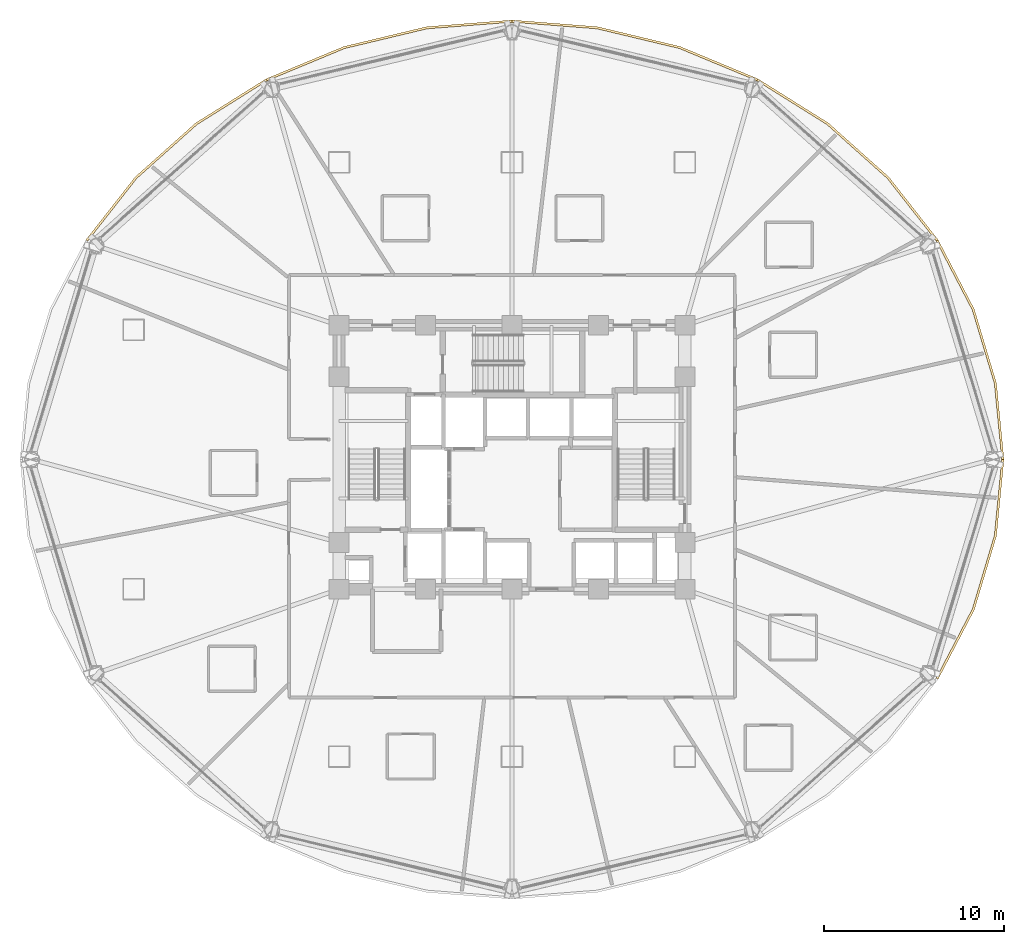
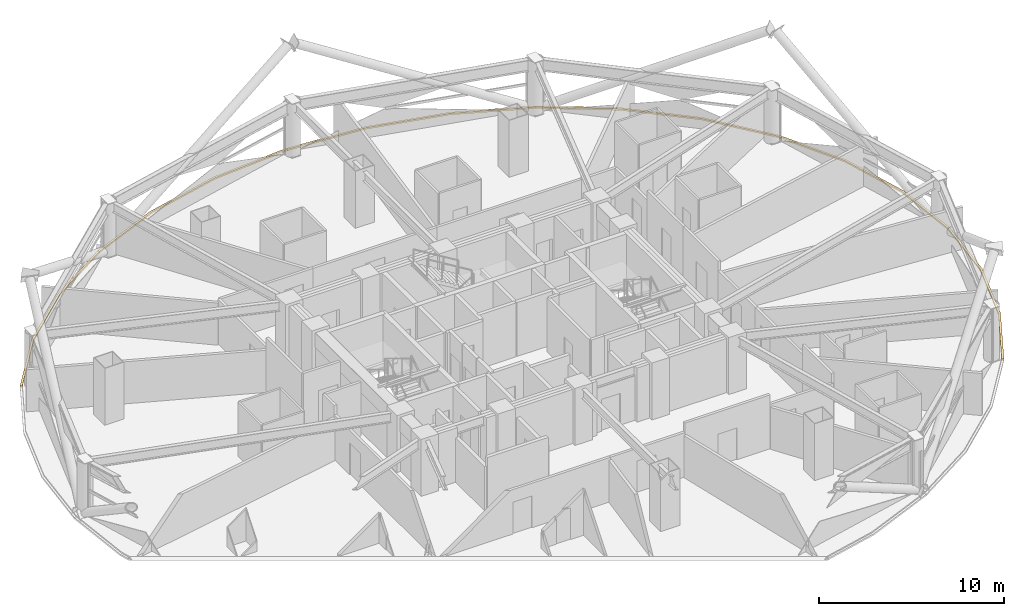
# One storey, part 31 of 31: 6 coverings.
"""IFC4 building model written with IfcOpenShell, lengths in metres."""

import ifcopenshell
import ifcopenshell.guid

model = None  # the IFC model being written
_history = None  # IfcOwnerHistory: only IFC2X3 demands one
_inside = {}  # id of a spatial element -> (the spatial element, [elements in it])
_under = {}  # id of a project, library or spatial element -> (it, [spatial elements below it])
_declared = {}  # id of a project -> (the project, [libraries it declares])
_typed = {}  # id of a type object -> (the type object, [elements of that type])
_made_of = {}  # id of a material, layer set ... -> (it, [elements and type objects made of it])


def new_model(schema):
    """Start an empty IFC model of exactly this schema.

    Asked for "IFC4X3", IfcOpenShell would pick the latest addendum, in which some entities
    have other attributes; the version numbers below select the first issue.
    IFC2X3 requires an IfcOwnerHistory on every rooted entity: one is made here for all.
    """
    global model, _history
    if schema == "IFC4X3":
        model = ifcopenshell.file(schema_version=(4, 3, 0, 0))
    else:
        model = ifcopenshell.file(schema=schema)
    _inside.clear()
    _under.clear()
    _declared.clear()
    _typed.clear()
    _made_of.clear()
    _history = None
    if model.schema == "IFC2X3":
        org = make("IfcOrganization", Name="unknown")
        user = make(
            "IfcPersonAndOrganization",
            ThePerson=make("IfcPerson", FamilyName="unknown"),
            TheOrganization=org,
        )
        app = make(
            "IfcApplication",
            ApplicationDeveloper=org,
            Version="unknown",
            ApplicationFullName="unknown",
            ApplicationIdentifier="unknown",
        )
        _history = make(
            "IfcOwnerHistory",
            OwningUser=user,
            OwningApplication=app,
            ChangeAction="ADDED",
            CreationDate=0,
        )
    return model


def make(cls, **values):
    """One entity of the class cls with the attributes given. An attribute that is None is left unset."""
    return model.create_entity(
        cls, **{name: value for name, value in values.items() if value is not None}
    )


def rooted(cls, **values):
    """An entity with a GlobalId (a new one), such as an element, a storey or a relation."""
    return make(cls, GlobalId=ifcopenshell.guid.new(), OwnerHistory=_history, **values)


def si_unit(unit_type, name, prefix=None):
    """IfcSIUnit, for example si_unit("LENGTHUNIT", "METRE", prefix="MILLI")."""
    return make("IfcSIUnit", UnitType=unit_type, Prefix=prefix, Name=name)


def assignment(units):
    """IfcUnitAssignment: the units of a project."""
    return None if units is None else make("IfcUnitAssignment", Units=units)


def point(xyz):
    """IfcCartesianPoint."""
    return None if xyz is None else make("IfcCartesianPoint", Coordinates=xyz)


def direction(xyz):
    """IfcDirection."""
    return None if xyz is None else make("IfcDirection", DirectionRatios=xyz)


def frame(location, z_axis=None, x_axis=None):
    """IfcAxis2Placement3D, a coordinate frame: its origin and axes. An axis left out is left unset."""
    return make(
        "IfcAxis2Placement3D",
        Location=point(location),
        Axis=direction(z_axis),
        RefDirection=direction(x_axis),
    )


def origin():
    """The frame at (0, 0, 0) with its axes left unset."""
    return frame((0.0, 0.0, 0.0))


def place(relative_to, where):
    """IfcLocalPlacement: puts the frame where relative to a parent placement (None: the world)."""
    return make(
        "IfcLocalPlacement", PlacementRelTo=relative_to, RelativePlacement=where
    )


def context(
    kind, dimensions, precision=None, world=None, true_north=None, identifier=None
):
    """IfcGeometricRepresentationContext, for example the 3D "Model" context."""
    return make(
        "IfcGeometricRepresentationContext",
        ContextIdentifier=identifier,
        ContextType=kind,
        CoordinateSpaceDimension=dimensions,
        Precision=precision,
        WorldCoordinateSystem=world,
        TrueNorth=true_north,
    )


def subcontext(parent, identifier, kind, view, scale=None):
    """IfcGeometricRepresentationSubContext, for example "Body" below "Model"."""
    return make(
        "IfcGeometricRepresentationSubContext",
        ContextIdentifier=identifier,
        ContextType=kind,
        ParentContext=parent,
        TargetScale=scale,
        TargetView=view,
    )


def project(units=None, contexts=None):
    """IfcProject with its units and contexts."""
    return rooted(
        "IfcProject",
        Name="project",
        RepresentationContexts=contexts,
        UnitsInContext=assignment(units),
    )


def spatial(cls, under=None, at=None, **own):
    """A site, building, storey or space (cls), placed at a placement, below another one or the project."""
    s = rooted(cls, ObjectPlacement=at, **own)
    if under is not None:
        _under.setdefault(under.id(), (under, []))[1].append(s)
    return s


def polyline(points):
    """IfcPolyline through the points."""
    return make("IfcPolyline", Points=[point(p) for p in points])


def outline(outer, holes=None, kind="AREA"):
    """IfcArbitraryClosedProfileDef: a profile drawn as a closed curve; with holes, ...WithVoids."""
    if holes is None:
        return make("IfcArbitraryClosedProfileDef", ProfileType=kind, OuterCurve=outer)
    return make(
        "IfcArbitraryProfileDefWithVoids",
        ProfileType=kind,
        OuterCurve=outer,
        InnerCurves=holes,
    )


def extrude(swept, where, along, depth):
    """IfcExtrudedAreaSolid: the profile swept, set in the frame where, extruded along a direction by depth."""
    return make(
        "IfcExtrudedAreaSolid",
        SweptArea=swept,
        Position=where,
        ExtrudedDirection=direction(along),
        Depth=depth,
    )


def shape(context_of_items, identifier, shape_type, items):
    """IfcShapeRepresentation: the items that make up one representation, for example the "Body"."""
    return make(
        "IfcShapeRepresentation",
        ContextOfItems=context_of_items,
        RepresentationIdentifier=identifier,
        RepresentationType=shape_type,
        Items=items,
    )


def material(Name=None, Category=None):
    """IfcMaterial."""
    return make("IfcMaterial", Name=Name, Category=Category)


def layer(
    of_material, thickness, ventilated=None, Name=None, Category=None, Priority=None
):
    """IfcMaterialLayer: one layer of a wall or slab, of a material (None: an air gap)."""
    return make(
        "IfcMaterialLayer",
        Material=of_material,
        LayerThickness=thickness,
        IsVentilated=ventilated,
        Name=Name,
        Category=Category,
        Priority=Priority,
    )


def layer_set(layers, Name=None):
    """IfcMaterialLayerSet."""
    return make("IfcMaterialLayerSet", MaterialLayers=layers, LayerSetName=Name)


def made_of(thing, what):
    """Note that an element or type object is made of a material, layer set ...; save() writes the relation."""
    if what is not None:
        _made_of.setdefault(what.id(), (what, []))[1].append(thing)
    return thing


def type_object(cls, material=None, **own):
    """A type object (cls), such as IfcWallType, which elements share."""
    return made_of(rooted(cls, **own), material)


def element(
    cls,
    number,
    at=None,
    inside=None,
    cuts=None,
    type_object=None,
    material=None,
    context=None,
    identifier="Body",
    shape_type=None,
    held_by="IfcProductDefinitionShape",
    body=None,
    shapes=None,
    **own,
):
    """One element of the class cls, such as IfcWall. Its Tag is "e" and its number.

    at: its placement. inside: the storey or other place that contains it. cuts: it is an
    opening in that element (IfcRelVoidsElement). A single representation is given by context,
    identifier, shape_type and body (its items); several are given by shapes. held_by: the class
    of the entity that holds the representations. save() writes the other relations.
    """
    e = rooted(cls, Tag="e%d" % number, ObjectPlacement=at, **own)
    if body is not None:
        shapes = [shape(context, identifier, shape_type, body)]
    if shapes is not None:
        e.Representation = make(held_by, Representations=shapes)
    if inside is not None:
        _inside.setdefault(inside.id(), (inside, []))[1].append(e)
    if cuts is not None:
        rooted(
            "IfcRelVoidsElement", RelatingBuildingElement=cuts, RelatedOpeningElement=e
        )
    if type_object is not None:
        _typed.setdefault(type_object.id(), (type_object, []))[1].append(e)
    return made_of(e, material)


def aggregate(whole, parts):
    """IfcRelAggregates: a whole, such as a stair, and the parts it consists of."""
    return rooted("IfcRelAggregates", RelatingObject=whole, RelatedObjects=parts)


def save(model, path):
    """Write the relations noted so far, then the file.

    IfcRelAggregates (storeys below a building ...), IfcRelContainedInSpatialStructure (elements
    in a storey), IfcRelDefinesByType, IfcRelAssociatesMaterial and IfcRelDeclares: one each for
    every whole, place, type object, material and project.
    """
    for whole, parts in _under.values():
        aggregate(whole, parts)
    for where, things in _inside.values():
        rooted(
            "IfcRelContainedInSpatialStructure",
            RelatedElements=things,
            RelatingStructure=where,
        )
    for kind, things in _typed.values():
        rooted("IfcRelDefinesByType", RelatedObjects=things, RelatingType=kind)
    for what, things in _made_of.values():
        rooted("IfcRelAssociatesMaterial", RelatedObjects=things, RelatingMaterial=what)
    for by, libraries in _declared.values():
        rooted("IfcRelDeclares", RelatingContext=by, RelatedDefinitions=libraries)
    model.write(path)


model = new_model("IFC4")

# Units and contexts
model_context = context("Model", 3, precision=1e-05, world=origin(), true_north=direction((0.0, 1.0)))
body_context = subcontext(model_context, "Body", "Model", "MODEL_VIEW")
ifc_project = project(units=[si_unit("LENGTHUNIT", "METRE"), si_unit("AREAUNIT", "SQUARE_METRE"), si_unit("VOLUMEUNIT", "CUBIC_METRE"), si_unit("PLANEANGLEUNIT", "RADIAN"), si_unit("MASSUNIT", "GRAM", prefix="KILO")], contexts=[model_context])

# Site, building, storey
site_placement = place(None, origin())
site = spatial("IfcSite", under=ifc_project, at=site_placement, CompositionType="ELEMENT")
building_placement = place(site_placement, origin())
building = spatial("IfcBuilding", under=site, at=building_placement, Name="Vantalir Tower", CompositionType="ELEMENT")
storey_placement = place(building_placement, frame((0.0, 0.0, 42.0)))
storey = spatial("IfcBuildingStorey", under=building, at=storey_placement, Name="L09", CompositionType="ELEMENT", Elevation=42.0)

# Coverings
ifc_material = material(Name="Anodised champagne aluminium sill fascia", Category="aluminium")
ifc_layer = layer(ifc_material, 0.125)
ifc_layer_set = layer_set([ifc_layer], Name="Anodised champagne aluminium sill fascia")
covering_type = type_object("IfcCoveringType", Name="COV-SLAB-FASCIA-125", PredefinedType="CLADDING", material=ifc_layer_set)
covering_1_placement = place(storey_placement, frame((0.0, 0.0, -0.179931640625)))
element("IfcCovering", 1, at=covering_1_placement, inside=storey, type_object=covering_type, Name="L09 Perimeter Slab-Edge Sill Fascia 01", PredefinedType="CLADDING", context=body_context, shape_type="SweptSolid", body=[
    extrude(outline(polyline([(58.81396484375, 25.0), (58.39892578125, 29.237060546875), (57.1669921875, 33.345947265625), (55.155029296875, 37.199951171875), (55.0458984375, 37.137939453125), (57.049072265625, 33.302978515625), (58.27587890625, 29.215087890625), (58.68896484375, 25.0), (58.81396484375, 25.0)])), origin(), (0.0, 0.0, 1.0), 0.10498046875),
])
covering_2_placement = place(storey_placement, frame((0.0, 0.0, -0.179931640625)))
element("IfcCovering", 2, at=covering_2_placement, inside=storey, type_object=covering_type, Name="L09 Perimeter Slab-Edge Sill Fascia 02", PredefinedType="CLADDING", context=body_context, shape_type="SweptSolid", body=[
    extrude(outline(polyline([(55.155029296875, 37.199951171875), (52.424072265625, 40.68505859375), (49.056884765625, 43.69189453125), (45.156982421875, 46.132080078125), (45.094970703125, 46.02392578125), (48.97705078125, 43.595947265625), (52.327880859375, 40.60400390625), (55.0458984375, 37.137939453125), (55.155029296875, 37.199951171875)])), origin(), (0.0, 0.0, 1.0), 0.10498046875),
])
covering_3_placement = place(storey_placement, frame((0.0, 0.0, -0.179931640625)))
element("IfcCovering", 3, at=covering_3_placement, inside=storey, type_object=covering_type, Name="L09 Perimeter Slab-Edge Sill Fascia 03", PredefinedType="CLADDING", context=body_context, shape_type="SweptSolid", body=[
    extrude(outline(polyline([(45.156982421875, 46.132080078125), (40.842041015625, 47.928955078125), (36.242919921875, 49.030029296875), (31.5, 49.40087890625), (31.5, 49.27587890625), (36.220947265625, 48.906982421875), (40.799072265625, 47.81201171875), (45.094970703125, 46.02392578125), (45.156982421875, 46.132080078125)])), origin(), (0.0, 0.0, 1.0), 0.10498046875),
])
covering_4_placement = place(storey_placement, frame((0.0, 0.0, -0.179931640625)))
element("IfcCovering", 4, at=covering_4_placement, inside=storey, type_object=covering_type, Name="L09 Perimeter Slab-Edge Sill Fascia 04", PredefinedType="CLADDING", context=body_context, shape_type="SweptSolid", body=[
    extrude(outline(polyline([(31.5, 49.40087890625), (26.757080078125, 49.030029296875), (22.157958984375, 47.928955078125), (17.843017578125, 46.132080078125), (17.906005859375, 46.02392578125), (22.200927734375, 47.81201171875), (26.779052734375, 48.906982421875), (31.5, 49.27587890625), (31.5, 49.40087890625)])), origin(), (0.0, 0.0, 1.0), 0.10498046875),
])
covering_5_placement = place(storey_placement, frame((0.0, 0.0, -0.179931640625)))
element("IfcCovering", 5, at=covering_5_placement, inside=storey, type_object=covering_type, Name="L09 Perimeter Slab-Edge Sill Fascia 05", PredefinedType="CLADDING", context=body_context, shape_type="SweptSolid", body=[
    extrude(outline(polyline([(17.843017578125, 46.132080078125), (13.943115234375, 43.69189453125), (10.575927734375, 40.68505859375), (7.844970703125, 37.199951171875), (7.9541015625, 37.137939453125), (10.672119140625, 40.60400390625), (14.02294921875, 43.595947265625), (17.906005859375, 46.02392578125), (17.843017578125, 46.132080078125)])), origin(), (0.0, 0.0, 1.0), 0.10498046875),
])
covering_6_placement = place(storey_placement, frame((0.0, 0.0, -0.179931640625)))
element("IfcCovering", 6, at=covering_6_placement, inside=storey, type_object=covering_type, Name="L09 Perimeter Slab-Edge Sill Fascia 12", PredefinedType="CLADDING", context=body_context, shape_type="SweptSolid", body=[
    extrude(outline(polyline([(55.155029296875, 12.799072265625), (57.1669921875, 16.654052734375), (58.39892578125, 20.762939453125), (58.81396484375, 25.0), (58.68896484375, 25.0), (58.27587890625, 20.784912109375), (57.049072265625, 16.697021484375), (55.0458984375, 12.862060546875), (55.155029296875, 12.799072265625)])), origin(), (0.0, 0.0, 1.0), 0.10498046875),
])

save(model, "model.ifc")
